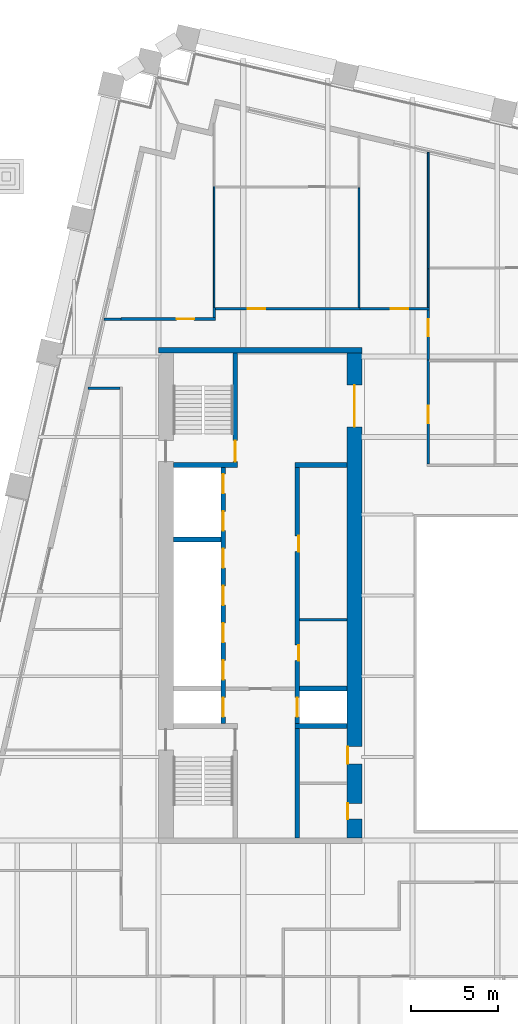
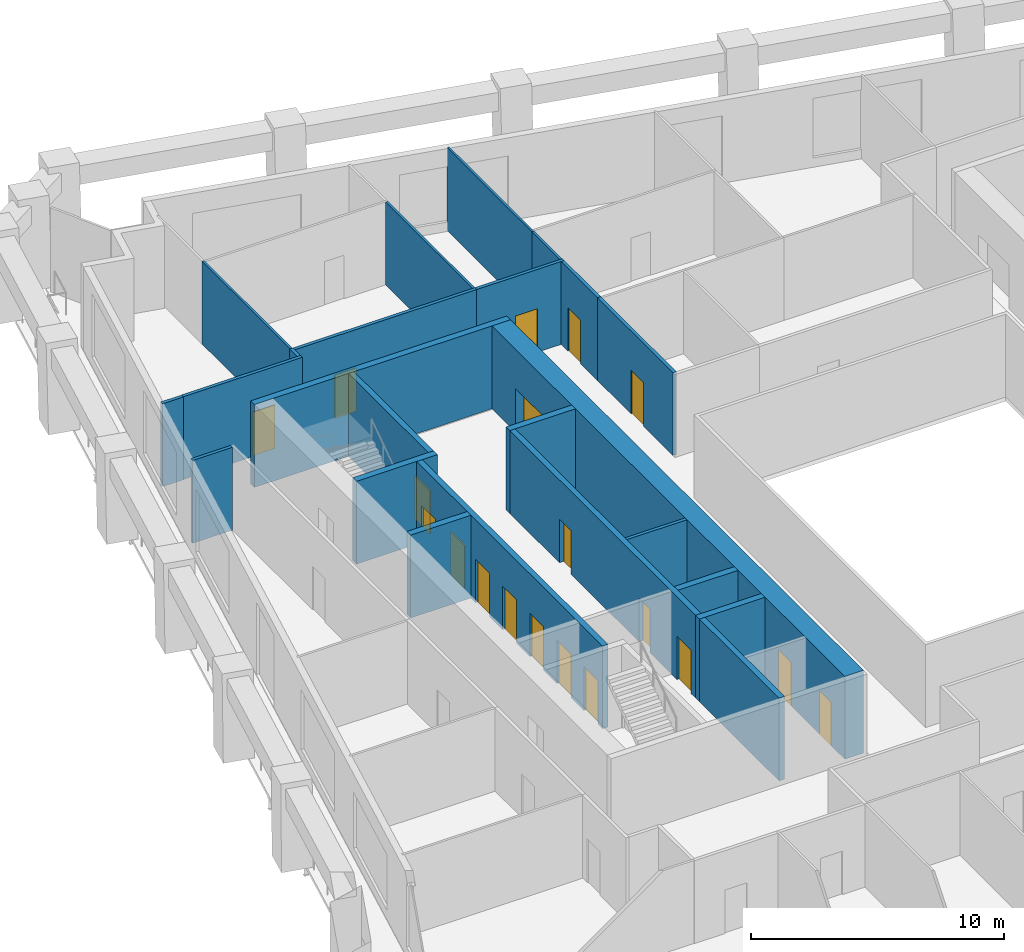
# One storey, part 6 of 10: 23 walls, 19 doors, 19 openings.
"""IFC4 building model written with IfcOpenShell, lengths in metres."""

from ifc_helpers import new_model, si_unit, direction, frame, frame_2d, origin, place, context, subcontext, project, spatial, rectangle, extrude, material, layer, layer_set, type_object, element, fill, save


model = new_model("IFC4")

# Units and contexts
model_context = context("Model", 3, precision=1e-05, world=origin(), true_north=direction((0.0, 1.0)))
body_context = subcontext(model_context, "Body", "Model", "MODEL_VIEW")
ifc_project = project(units=[si_unit("LENGTHUNIT", "METRE"), si_unit("AREAUNIT", "SQUARE_METRE"), si_unit("VOLUMEUNIT", "CUBIC_METRE"), si_unit("PLANEANGLEUNIT", "RADIAN"), si_unit("MASSUNIT", "GRAM", prefix="KILO")], contexts=[model_context])

# Site, building, storey
site_placement = place(None, origin())
site = spatial("IfcSite", under=ifc_project, at=site_placement, CompositionType="ELEMENT")
building_placement = place(site_placement, origin())
building = spatial("IfcBuilding", under=site, at=building_placement, Name="Ogive Exchange Tower", CompositionType="ELEMENT")
storey_placement = place(building_placement, frame((0.0, 0.0, 105.60009765625)))
storey = spatial("IfcBuildingStorey", under=building, at=storey_placement, Name="L22", CompositionType="ELEMENT", Elevation=105.60009765625)

# Walls
ifc_material_1 = material(Name="Gypsum board partition")
ifc_layer_1 = layer(ifc_material_1, 0.14990234375)
ifc_layer_set_1 = layer_set([ifc_layer_1], Name="Core room partition 150 gypsum")
wall_type_1 = type_object("IfcWallType", Name="Core room partition 150 gypsum", PredefinedType="PARTITIONING", material=ifc_layer_set_1)
wall_1_placement = place(storey_placement, frame((-13.75, 10.10009765625, 0.0), z_axis=(0.0, 0.0, 1.0), x_axis=(1.0, 0.0, 0.0)))
element("IfcWall", 1, at=wall_1_placement, inside=storey, type_object=wall_type_1, Name="W row B bay partition 1-1", PredefinedType="PARTITIONING", context=body_context, shape_type="SweptSolid", body=[
    extrude(rectangle(XDim=2.75, YDim=0.14990234375, at=frame_2d((1.375, 0.0))), origin(), (0.0, 0.0, 1.0), 4.0),
])
ifc_layer_2 = layer(ifc_material_1, 0.300048828125)
ifc_layer_set_2 = layer_set([ifc_layer_2], Name="Core room partition 300 gypsum")
wall_type_2 = type_object("IfcWallType", Name="Core room partition 300 gypsum", PredefinedType="PARTITIONING", material=ifc_layer_set_2)
wall_2_placement = place(storey_placement, frame((-14.0, 19.0, 0.0), z_axis=(0.0, 0.0, 1.0), x_axis=(1.0, 0.0, 0.0)))
element("IfcWall", 2, at=wall_2_placement, inside=storey, type_object=wall_type_2, Name="W row B room end wall 7", PredefinedType="PARTITIONING", context=body_context, shape_type="SweptSolid", body=[
    extrude(rectangle(XDim=3.0, YDim=0.300048828125, at=frame_2d((1.5, 0.0))), origin(), (0.0, 0.0, 1.0), 4.0),
])
ifc_material_2 = material(Name="Fire partition EI 60 150")
ifc_layer_3 = layer(ifc_material_2, 0.14990234375)
ifc_layer_set_3 = layer_set([ifc_layer_3], Name="Fire partition EI 60 150")
wall_type_3 = type_object("IfcWallType", Name="Fire partition EI 60 150", PredefinedType="PARTITIONING", material=ifc_layer_set_3)
wall_3_placement = place(storey_placement, frame((-24.970947265625, 27.389892578125, 0.0), z_axis=(0.0, 0.0, 1.0), x_axis=(1.0, 0.0, 0.0)))
element("IfcWall", 3, at=wall_3_placement, inside=storey, type_object=wall_type_3, Name="L22-PWL-002", PredefinedType="PARTITIONING", context=body_context, shape_type="SweptSolid", body=[
    extrude(rectangle(XDim=0.970947265625, YDim=0.14990234375, at=frame_2d((0.4853515625, 0.0))), origin(), (0.0, 0.0, 1.0), 4.0),
])
wall_4_placement = place(storey_placement, frame((-24.074951171875, 23.409912109375, 0.0), z_axis=(0.0, 0.0, 1.0), x_axis=(-1.0, 0.0, 0.0)))
element("IfcWall", 4, at=wall_4_placement, inside=storey, type_object=wall_type_3, Name="L22-PWL-010", PredefinedType="PARTITIONING", context=body_context, shape_type="SweptSolid", body=[
    extrude(rectangle(XDim=1.81494140625, YDim=0.14990234375, at=frame_2d((0.907470703125, 0.0))), origin(), (0.0, 0.0, 1.0), 4.0),
])

# Wall, opening, door
wall_5_placement = place(storey_placement, frame((-24.0, 27.39990234375, 0.0), z_axis=(0.0, 0.0, 1.0), x_axis=(1.0, 0.0, 0.0)))
wall_5 = element("IfcWall", 5, at=wall_5_placement, inside=storey, type_object=wall_type_3, Name="L22-PWL-011", PredefinedType="PARTITIONING", context=body_context, shape_type="SweptSolid", body=[
    extrude(rectangle(XDim=5.425048828125, YDim=0.14990234375, at=frame_2d((2.71240234375, 0.0))), origin(), (0.0, 0.0, 1.0), 4.0),
])
opening_1_placement = place(wall_5_placement, frame((3.199951171875, 0.0, 0.0)))
opening_1 = element("IfcOpeningElement", 6, at=opening_1_placement, cuts=wall_5, Name="Opening L22-I14", PredefinedType="OPENING", context=body_context, shape_type="SweptSolid", body=[
    extrude(rectangle(XDim=1.0, YDim=2.10009765625, at=frame_2d((0.5, 1.050048828125))), frame((0.0, 0.0849609375, 0.0), z_axis=(0.0, -1.0, 0.0), x_axis=(1.0, 0.0, 0.0)), (0.0, 0.0, 1.0), 0.169921875),
])
ifc_material_3 = material(Name="Fire door FD 30S 1000 x 2100")
door_type_1 = type_object("IfcDoorType", Name="Fire door FD 30S 1000 x 2100", OperationType="NOTDEFINED", PredefinedType="DOOR", material=ifc_material_3)
door_1_placement = place(opening_1_placement, origin())
door_1 = element("IfcDoor", 7, at=door_1_placement, inside=storey, type_object=door_type_1, Name="L22-IDR-014", ObjectType="DT3", OperationType="SINGLE_SWING_LEFT", OverallHeight=2.10009765625, OverallWidth=1.0, PredefinedType="DOOR", context=body_context, shape_type="SweptSolid", body=[
    extrude(rectangle(XDim=1.0, YDim=2.10009765625, at=frame_2d((0.5, 1.050048828125))), frame((0.0, 0.02490234375, 0.0), z_axis=(0.0, -1.0, 0.0), x_axis=(1.0, 0.0, 0.0)), (0.0, 0.0, 1.0), 0.050048828125),
])
fill(opening_1, door_1)

# Wall
wall_6_placement = place(storey_placement, frame((-18.64990234375, 27.47509765625, 0.0), z_axis=(0.0, 0.0, 1.0), x_axis=(0.0, 1.0, 0.0)))
element("IfcWall", 8, at=wall_6_placement, inside=storey, type_object=wall_type_3, Name="L22-PWL-017", PredefinedType="PARTITIONING", context=body_context, shape_type="SweptSolid", body=[
    extrude(rectangle(XDim=0.599853515625, YDim=0.14990234375, at=frame_2d((0.2998046875, 0.0))), origin(), (0.0, 0.0, 1.0), 4.0),
])

# Wall, opening, door
wall_7_placement = place(storey_placement, frame((-18.574951171875, 28.0, 0.0), z_axis=(0.0, 0.0, 1.0), x_axis=(1.0, 0.0, 0.0)))
wall_7 = element("IfcWall", 9, at=wall_7_placement, inside=storey, type_object=wall_type_3, Name="L22-PWL-019", PredefinedType="PARTITIONING", context=body_context, shape_type="SweptSolid", body=[
    extrude(rectangle(XDim=8.304931640625, YDim=0.14990234375, at=frame_2d((4.15234375, 0.0))), origin(), (0.0, 0.0, 1.0), 4.0),
])
opening_2_placement = place(wall_7_placement, frame((1.85498046875, 0.0, 0.0)))
opening_2 = element("IfcOpeningElement", 10, at=opening_2_placement, cuts=wall_7, Name="Opening L22-I12", PredefinedType="OPENING", context=body_context, shape_type="SweptSolid", body=[
    extrude(rectangle(XDim=1.0, YDim=2.10009765625, at=frame_2d((0.5, 1.050048828125))), frame((0.0, 0.0849609375, 0.0), z_axis=(0.0, -1.0, 0.0), x_axis=(1.0, 0.0, 0.0)), (0.0, 0.0, 1.0), 0.169921875),
])
door_2_placement = place(opening_2_placement, origin())
door_2 = element("IfcDoor", 11, at=door_2_placement, inside=storey, type_object=door_type_1, Name="L22-IDR-012", ObjectType="DT3", OperationType="SINGLE_SWING_RIGHT", OverallHeight=2.10009765625, OverallWidth=1.0, PredefinedType="DOOR", context=body_context, shape_type="SweptSolid", body=[
    extrude(rectangle(XDim=1.0, YDim=2.10009765625, at=frame_2d((0.5, 1.050048828125))), frame((0.0, 0.02490234375, 0.0), z_axis=(0.0, -1.0, 0.0), x_axis=(1.0, 0.0, 0.0)), (0.0, 0.0, 1.0), 0.050048828125),
])
fill(opening_2, door_2)

wall_8_placement = place(storey_placement, frame((-10.27001953125, 28.0, 0.0), z_axis=(0.0, 0.0, 1.0), x_axis=(1.0, 0.0, 0.0)))
wall_8 = element("IfcWall", 12, at=wall_8_placement, inside=storey, type_object=wall_type_3, Name="L22-PWL-028", PredefinedType="PARTITIONING", context=body_context, shape_type="SweptSolid", body=[
    extrude(rectangle(XDim=4.005126953125, YDim=0.14990234375, at=frame_2d((2.00244140625, 0.0))), origin(), (0.0, 0.0, 1.0), 4.0),
])
opening_3_placement = place(wall_8_placement, frame((1.780029296875, 0.0, 0.0)))
opening_3 = element("IfcOpeningElement", 13, at=opening_3_placement, cuts=wall_8, Name="Opening L22-I11", PredefinedType="OPENING", context=body_context, shape_type="SweptSolid", body=[
    extrude(rectangle(XDim=1.0, YDim=2.10009765625, at=frame_2d((0.5, 1.050048828125))), frame((0.0, 0.0849609375, 0.0), z_axis=(0.0, -1.0, 0.0), x_axis=(1.0, 0.0, 0.0)), (0.0, 0.0, 1.0), 0.169921875),
])
door_3_placement = place(opening_3_placement, origin())
door_3 = element("IfcDoor", 14, at=door_3_placement, inside=storey, type_object=door_type_1, Name="L22-IDR-011", ObjectType="DT3", OperationType="SINGLE_SWING_LEFT", OverallHeight=2.10009765625, OverallWidth=1.0, PredefinedType="DOOR", context=body_context, shape_type="SweptSolid", body=[
    extrude(rectangle(XDim=1.0, YDim=2.10009765625, at=frame_2d((0.5, 1.050048828125))), frame((0.0, 0.02490234375, 0.0), z_axis=(0.0, -1.0, 0.0), x_axis=(1.0, 0.0, 0.0)), (0.0, 0.0, 1.0), 0.050048828125),
])
fill(opening_3, door_3)

wall_9_placement = place(storey_placement, frame((-6.340087890625, 25.050048828125, 0.0), z_axis=(0.0, 0.0, 1.0), x_axis=(0.0, -1.0, 0.0)))
wall_9 = element("IfcWall", 15, at=wall_9_placement, inside=storey, type_object=wall_type_3, Name="L22-PWL-033", PredefinedType="PARTITIONING", context=body_context, shape_type="SweptSolid", body=[
    extrude(rectangle(XDim=5.97509765625, YDim=0.14990234375, at=frame_2d((2.987548828125, 0.0))), origin(), (0.0, 0.0, 1.0), 4.0),
])
opening_4_placement = place(wall_9_placement, frame((2.64990234375, 0.0, 0.0)))
opening_4 = element("IfcOpeningElement", 16, at=opening_4_placement, cuts=wall_9, Name="Opening L22-I05", PredefinedType="OPENING", context=body_context, shape_type="SweptSolid", body=[
    extrude(rectangle(XDim=1.0, YDim=2.10009765625, at=frame_2d((0.5, 1.050048828125))), frame((0.0, 0.0849609375, 0.0), z_axis=(0.0, -1.0, 0.0), x_axis=(1.0, 0.0, 0.0)), (0.0, 0.0, 1.0), 0.169921875),
])
door_4_placement = place(opening_4_placement, origin())
door_4 = element("IfcDoor", 17, at=door_4_placement, inside=storey, type_object=door_type_1, Name="L22-IDR-005", ObjectType="DT3", OperationType="SINGLE_SWING_LEFT", OverallHeight=2.10009765625, OverallWidth=1.0, PredefinedType="DOOR", context=body_context, shape_type="SweptSolid", body=[
    extrude(rectangle(XDim=1.0, YDim=2.10009765625, at=frame_2d((0.5, 1.050048828125))), frame((0.0, 0.02490234375, 0.0), z_axis=(0.0, -1.0, 0.0), x_axis=(1.0, 0.0, 0.0)), (0.0, 0.0, 1.0), 0.050048828125),
])
fill(opening_4, door_4)

wall_10_placement = place(storey_placement, frame((-6.340087890625, 27.925048828125, 0.0), z_axis=(0.0, 0.0, 1.0), x_axis=(0.0, -1.0, 0.0)))
wall_10 = element("IfcWall", 18, at=wall_10_placement, inside=storey, type_object=wall_type_3, Name="L22-PWL-035", PredefinedType="PARTITIONING", context=body_context, shape_type="SweptSolid", body=[
    extrude(rectangle(XDim=2.875, YDim=0.14990234375, at=frame_2d((1.4375, 0.0))), origin(), (0.0, 0.0, 1.0), 4.0),
])
opening_5_placement = place(wall_10_placement, frame((0.52490234375, 0.0, 0.0)))
opening_5 = element("IfcOpeningElement", 19, at=opening_5_placement, cuts=wall_10, Name="Opening L22-I08", PredefinedType="OPENING", context=body_context, shape_type="SweptSolid", body=[
    extrude(rectangle(XDim=1.0, YDim=2.10009765625, at=frame_2d((0.5, 1.050048828125))), frame((0.0, 0.0849609375, 0.0), z_axis=(0.0, -1.0, 0.0), x_axis=(1.0, 0.0, 0.0)), (0.0, 0.0, 1.0), 0.169921875),
])
door_5_placement = place(opening_5_placement, origin())
door_5 = element("IfcDoor", 20, at=door_5_placement, inside=storey, type_object=door_type_1, Name="L22-IDR-008", ObjectType="DT3", OperationType="SINGLE_SWING_LEFT", OverallHeight=2.10009765625, OverallWidth=1.0, PredefinedType="DOOR", context=body_context, shape_type="SweptSolid", body=[
    extrude(rectangle(XDim=1.0, YDim=2.10009765625, at=frame_2d((0.5, 1.050048828125))), frame((0.0, 0.02490234375, 0.0), z_axis=(0.0, -1.0, 0.0), x_axis=(1.0, 0.0, 0.0)), (0.0, 0.0, 1.0), 0.050048828125),
])
fill(opening_5, door_5)

# Walls
ifc_material_4 = material(Name="Partition 100 gypsum")
ifc_layer_4 = layer(ifc_material_4, 0.10009765625)
ifc_layer_set_4 = layer_set([ifc_layer_4], Name="Partition 100 gypsum")
wall_type_4 = type_object("IfcWallType", Name="Partition 100 gypsum", PredefinedType="PARTITIONING", material=ifc_layer_set_4)
wall_11_placement = place(storey_placement, frame((-18.64990234375, 28.074951171875, 0.0), z_axis=(0.0, 0.0, 1.0), x_axis=(0.0, 1.0, 0.0)))
element("IfcWall", 21, at=wall_11_placement, inside=storey, type_object=wall_type_4, Name="L22-PWL-018", PredefinedType="PARTITIONING", context=body_context, shape_type="SweptSolid", body=[
    extrude(rectangle(XDim=6.97509765625, YDim=0.10009765625, at=frame_2d((3.487548828125, 0.0))), origin(), (0.0, 0.0, 1.0), 4.0),
])
wall_12_placement = place(storey_placement, frame((-10.320068359375, 28.074951171875, 0.0), z_axis=(0.0, 0.0, 1.0), x_axis=(0.0, 1.0, 0.0)))
element("IfcWall", 22, at=wall_12_placement, inside=storey, type_object=wall_type_4, Name="L22-PWL-027", PredefinedType="PARTITIONING", context=body_context, shape_type="SweptSolid", body=[
    extrude(rectangle(XDim=6.875, YDim=0.10009765625, at=frame_2d((3.4375, 0.0))), origin(), (0.0, 0.0, 1.0), 4.0),
])
wall_13_placement = place(storey_placement, frame((-6.340087890625, 28.074951171875, 0.0), z_axis=(0.0, 0.0, 1.0), x_axis=(0.0, 1.0, 0.0)))
element("IfcWall", 23, at=wall_13_placement, inside=storey, type_object=wall_type_4, Name="L22-PWL-036", PredefinedType="PARTITIONING", context=body_context, shape_type="SweptSolid", body=[
    extrude(rectangle(XDim=2.215087890625, YDim=0.10009765625, at=frame_2d((1.107421875, 0.0))), origin(), (0.0, 0.0, 1.0), 4.0),
])
wall_14_placement = place(storey_placement, frame((-6.340087890625, 30.2900390625, 0.0), z_axis=(0.0, 0.0, 1.0), x_axis=(0.0, 1.0, 0.0)))
element("IfcWall", 24, at=wall_14_placement, inside=storey, type_object=wall_type_4, Name="L22-PWL-037", PredefinedType="PARTITIONING", context=body_context, shape_type="SweptSolid", body=[
    extrude(rectangle(XDim=6.697998046875, YDim=0.10009765625, at=frame_2d((3.34912109375, 0.0))), origin(), (0.0, 0.0, 1.0), 4.0),
])

# Wall, opening, door
ifc_material_5 = material(Name="Concrete C70/85", Category="concrete")
ifc_layer_5 = layer(ifc_material_5, 0.25)
ifc_layer_set_5 = layer_set([ifc_layer_5], Name="RC core wall 250 C70/85")
wall_type_5 = type_object("IfcWallType", Name="RC core wall 250 C70/85", PredefinedType="SHEAR", material=ifc_layer_set_5)
wall_15_placement = place(storey_placement, frame((-17.425048828125, 19.14990234375, 0.0), z_axis=(0.0, 0.0, 1.0), x_axis=(0.0, 1.0, 0.0)))
wall_15 = element("IfcWall", 25, at=wall_15_placement, inside=storey, type_object=wall_type_5, Name="W stair N front wall", PredefinedType="SHEAR", context=body_context, shape_type="SweptSolid", body=[
    extrude(rectangle(XDim=6.300048828125, YDim=0.25, at=frame_2d((3.14990234375, 0.0))), origin(), (0.0, 0.0, 1.0), 4.0),
])
opening_6_placement = place(wall_15_placement, frame((0.050048828125, 0.0, 0.0)))
opening_6 = element("IfcOpeningElement", 26, at=opening_6_placement, cuts=wall_15, Name="Opening L22-C15", PredefinedType="OPENING", context=body_context, shape_type="SweptSolid", body=[
    extrude(rectangle(XDim=1.199951171875, YDim=2.10009765625, at=frame_2d((0.60009765625, 1.050048828125))), frame((0.0, 0.135009765625, 0.0), z_axis=(0.0, -1.0, 0.0), x_axis=(1.0, 0.0, 0.0)), (0.0, 0.0, 1.0), 0.27001953125),
])
ifc_material_6 = material(Name="Steel fire door", Category="steel")
door_type_2 = type_object("IfcDoorType", Name="Stair door FD90 1200 x 2100", OperationType="NOTDEFINED", PredefinedType="DOOR", material=ifc_material_6)
door_6_placement = place(opening_6_placement, origin())
door_6 = element("IfcDoor", 27, at=door_6_placement, inside=storey, type_object=door_type_2, Name="Stair door", ObjectType="CD5", OperationType="SINGLE_SWING_RIGHT", OverallHeight=2.10009765625, OverallWidth=1.199951171875, PredefinedType="DOOR", context=body_context, shape_type="SweptSolid", body=[
    extrude(rectangle(XDim=1.199951171875, YDim=2.10009765625, at=frame_2d((0.60009765625, 1.050048828125))), frame((0.0, 0.02490234375, 0.0), z_axis=(0.0, -1.0, 0.0), x_axis=(1.0, 0.0, 0.0)), (0.0, 0.0, 1.0), 0.050048828125),
])
fill(opening_6, door_6)

# Wall, openings, doors
wall_16_placement = place(storey_placement, frame((-18.125, 4.14990234375, 0.0), z_axis=(0.0, 0.0, 1.0), x_axis=(0.0, 1.0, 0.0)))
wall_16 = element("IfcWall", 28, at=wall_16_placement, inside=storey, type_object=wall_type_5, Name="W row A front wall", PredefinedType="SHEAR", context=body_context, shape_type="SweptSolid", body=[
    extrude(rectangle(XDim=14.7001953125, YDim=0.25, at=frame_2d((7.35009765625, 0.0))), origin(), (0.0, 0.0, 1.0), 4.0),
])
opening_7_placement = place(wall_16_placement, frame((0.371337890625, 0.0, 0.0)))
opening_7 = element("IfcOpeningElement", 29, at=opening_7_placement, cuts=wall_16, Name="Opening L22-C01", PredefinedType="OPENING", context=body_context, shape_type="SweptSolid", body=[
    extrude(rectangle(XDim=1.10009765625, YDim=2.10009765625, at=frame_2d((0.550048828125, 1.050048828125))), frame((0.0, 0.135009765625, 0.0), z_axis=(0.0, -1.0, 0.0), x_axis=(1.0, 0.0, 0.0)), (0.0, 0.0, 1.0), 0.27001953125),
])
opening_8_placement = place(wall_16_placement, frame((2.514404296875, 0.0, 0.0)))
opening_8 = element("IfcOpeningElement", 30, at=opening_8_placement, cuts=wall_16, Name="Opening L22-C02", PredefinedType="OPENING", context=body_context, shape_type="SweptSolid", body=[
    extrude(rectangle(XDim=1.10009765625, YDim=2.10009765625, at=frame_2d((0.550048828125, 1.050048828125))), frame((0.0, 0.135009765625, 0.0), z_axis=(0.0, -1.0, 0.0), x_axis=(1.0, 0.0, 0.0)), (0.0, 0.0, 1.0), 0.27001953125),
])
opening_9_placement = place(wall_16_placement, frame((4.656982421875, 0.0, 0.0)))
opening_9 = element("IfcOpeningElement", 31, at=opening_9_placement, cuts=wall_16, Name="Opening L22-C03", PredefinedType="OPENING", context=body_context, shape_type="SweptSolid", body=[
    extrude(rectangle(XDim=1.10009765625, YDim=2.10009765625, at=frame_2d((0.550048828125, 1.050048828125))), frame((0.0, 0.135009765625, 0.0), z_axis=(0.0, -1.0, 0.0), x_axis=(1.0, 0.0, 0.0)), (0.0, 0.0, 1.0), 0.27001953125),
])
opening_10_placement = place(wall_16_placement, frame((6.800048828125, 0.0, 0.0)))
opening_10 = element("IfcOpeningElement", 32, at=opening_10_placement, cuts=wall_16, Name="Opening L22-C04", PredefinedType="OPENING", context=body_context, shape_type="SweptSolid", body=[
    extrude(rectangle(XDim=1.10009765625, YDim=2.10009765625, at=frame_2d((0.550048828125, 1.050048828125))), frame((0.0, 0.135009765625, 0.0), z_axis=(0.0, -1.0, 0.0), x_axis=(1.0, 0.0, 0.0)), (0.0, 0.0, 1.0), 0.27001953125),
])
opening_11_placement = place(wall_16_placement, frame((8.94287109375, 0.0, 0.0)))
opening_11 = element("IfcOpeningElement", 33, at=opening_11_placement, cuts=wall_16, Name="Opening L22-C05", PredefinedType="OPENING", context=body_context, shape_type="SweptSolid", body=[
    extrude(rectangle(XDim=1.10009765625, YDim=2.10009765625, at=frame_2d((0.550048828125, 1.050048828125))), frame((0.0, 0.135009765625, 0.0), z_axis=(0.0, -1.0, 0.0), x_axis=(1.0, 0.0, 0.0)), (0.0, 0.0, 1.0), 0.27001953125),
])
opening_12_placement = place(wall_16_placement, frame((11.085693359375, 0.0, 0.0)))
opening_12 = element("IfcOpeningElement", 34, at=opening_12_placement, cuts=wall_16, Name="Opening L22-C06", PredefinedType="OPENING", context=body_context, shape_type="SweptSolid", body=[
    extrude(rectangle(XDim=1.10009765625, YDim=2.10009765625, at=frame_2d((0.550048828125, 1.050048828125))), frame((0.0, 0.135009765625, 0.0), z_axis=(0.0, -1.0, 0.0), x_axis=(1.0, 0.0, 0.0)), (0.0, 0.0, 1.0), 0.27001953125),
])
opening_13_placement = place(wall_16_placement, frame((13.228515625, 0.0, 0.0)))
opening_13 = element("IfcOpeningElement", 35, at=opening_13_placement, cuts=wall_16, Name="Opening L22-C07", PredefinedType="OPENING", context=body_context, shape_type="SweptSolid", body=[
    extrude(rectangle(XDim=1.10009765625, YDim=2.10009765625, at=frame_2d((0.550048828125, 1.050048828125))), frame((0.0, 0.135009765625, 0.0), z_axis=(0.0, -1.0, 0.0), x_axis=(1.0, 0.0, 0.0)), (0.0, 0.0, 1.0), 0.27001953125),
])
ifc_material_7 = material(Name="Stainless steel", Category="steel")
door_type_3 = type_object("IfcDoorType", Name="Lift landing door FD90 1100 x 2100", OperationType="SLIDING_TO_LEFT", PredefinedType="DOOR", material=ifc_material_7)
door_7_placement = place(opening_7_placement, origin())
door_7 = element("IfcDoor", 36, at=door_7_placement, inside=storey, type_object=door_type_3, Name="Lift landing door FF1", ObjectType="LD", OperationType="SLIDING_TO_LEFT", OverallHeight=2.10009765625, OverallWidth=1.10009765625, PredefinedType="DOOR", context=body_context, shape_type="SweptSolid", body=[
    extrude(rectangle(XDim=1.10009765625, YDim=2.10009765625, at=frame_2d((0.550048828125, 1.050048828125))), frame((0.0, 0.02490234375, 0.0), z_axis=(0.0, -1.0, 0.0), x_axis=(1.0, 0.0, 0.0)), (0.0, 0.0, 1.0), 0.050048828125),
])
fill(opening_7, door_7)
door_8_placement = place(opening_8_placement, origin())
door_8 = element("IfcDoor", 37, at=door_8_placement, inside=storey, type_object=door_type_3, Name="Lift landing door W-L1", ObjectType="LD", OperationType="SLIDING_TO_LEFT", OverallHeight=2.10009765625, OverallWidth=1.10009765625, PredefinedType="DOOR", context=body_context, shape_type="SweptSolid", body=[
    extrude(rectangle(XDim=1.10009765625, YDim=2.10009765625, at=frame_2d((0.550048828125, 1.050048828125))), frame((0.0, 0.02490234375, 0.0), z_axis=(0.0, -1.0, 0.0), x_axis=(1.0, 0.0, 0.0)), (0.0, 0.0, 1.0), 0.050048828125),
])
fill(opening_8, door_8)
door_9_placement = place(opening_9_placement, origin())
door_9 = element("IfcDoor", 38, at=door_9_placement, inside=storey, type_object=door_type_3, Name="Lift landing door W-L2", ObjectType="LD", OperationType="SLIDING_TO_LEFT", OverallHeight=2.10009765625, OverallWidth=1.10009765625, PredefinedType="DOOR", context=body_context, shape_type="SweptSolid", body=[
    extrude(rectangle(XDim=1.10009765625, YDim=2.10009765625, at=frame_2d((0.550048828125, 1.050048828125))), frame((0.0, 0.02490234375, 0.0), z_axis=(0.0, -1.0, 0.0), x_axis=(1.0, 0.0, 0.0)), (0.0, 0.0, 1.0), 0.050048828125),
])
fill(opening_9, door_9)
door_10_placement = place(opening_10_placement, origin())
door_10 = element("IfcDoor", 39, at=door_10_placement, inside=storey, type_object=door_type_3, Name="Lift landing door W-L3", ObjectType="LD", OperationType="SLIDING_TO_LEFT", OverallHeight=2.10009765625, OverallWidth=1.10009765625, PredefinedType="DOOR", context=body_context, shape_type="SweptSolid", body=[
    extrude(rectangle(XDim=1.10009765625, YDim=2.10009765625, at=frame_2d((0.550048828125, 1.050048828125))), frame((0.0, 0.02490234375, 0.0), z_axis=(0.0, -1.0, 0.0), x_axis=(1.0, 0.0, 0.0)), (0.0, 0.0, 1.0), 0.050048828125),
])
fill(opening_10, door_10)
door_11_placement = place(opening_11_placement, origin())
door_11 = element("IfcDoor", 40, at=door_11_placement, inside=storey, type_object=door_type_3, Name="Lift landing door W-L4", ObjectType="LD", OperationType="SLIDING_TO_LEFT", OverallHeight=2.10009765625, OverallWidth=1.10009765625, PredefinedType="DOOR", context=body_context, shape_type="SweptSolid", body=[
    extrude(rectangle(XDim=1.10009765625, YDim=2.10009765625, at=frame_2d((0.550048828125, 1.050048828125))), frame((0.0, 0.02490234375, 0.0), z_axis=(0.0, -1.0, 0.0), x_axis=(1.0, 0.0, 0.0)), (0.0, 0.0, 1.0), 0.050048828125),
])
fill(opening_11, door_11)
door_12_placement = place(opening_12_placement, origin())
door_12 = element("IfcDoor", 41, at=door_12_placement, inside=storey, type_object=door_type_3, Name="Lift landing door W-SH1", ObjectType="LD", OperationType="SLIDING_TO_LEFT", OverallHeight=2.10009765625, OverallWidth=1.10009765625, PredefinedType="DOOR", context=body_context, shape_type="SweptSolid", body=[
    extrude(rectangle(XDim=1.10009765625, YDim=2.10009765625, at=frame_2d((0.550048828125, 1.050048828125))), frame((0.0, 0.02490234375, 0.0), z_axis=(0.0, -1.0, 0.0), x_axis=(1.0, 0.0, 0.0)), (0.0, 0.0, 1.0), 0.050048828125),
])
fill(opening_12, door_12)
door_13_placement = place(opening_13_placement, origin())
door_13 = element("IfcDoor", 42, at=door_13_placement, inside=storey, type_object=door_type_3, Name="Lift landing door W-SH2", ObjectType="LD", OperationType="SLIDING_TO_LEFT", OverallHeight=2.10009765625, OverallWidth=1.10009765625, PredefinedType="DOOR", context=body_context, shape_type="SweptSolid", body=[
    extrude(rectangle(XDim=1.10009765625, YDim=2.10009765625, at=frame_2d((0.550048828125, 1.050048828125))), frame((0.0, 0.02490234375, 0.0), z_axis=(0.0, -1.0, 0.0), x_axis=(1.0, 0.0, 0.0)), (0.0, 0.0, 1.0), 0.050048828125),
])
fill(opening_13, door_13)

wall_17_placement = place(storey_placement, frame((-13.875, -2.449951171875, 0.0), z_axis=(0.0, 0.0, 1.0), x_axis=(0.0, 1.0, 0.0)))
wall_17 = element("IfcWall", 43, at=wall_17_placement, inside=storey, type_object=wall_type_5, Name="W row B front wall", PredefinedType="SHEAR", context=body_context, shape_type="SweptSolid", body=[
    extrude(rectangle(XDim=21.300048828125, YDim=0.25, at=frame_2d((10.64990234375, 0.0))), origin(), (0.0, 0.0, 1.0), 4.0),
])
opening_14_placement = place(wall_17_placement, frame((10.1962890625, 0.0, 0.0)))
opening_14 = element("IfcOpeningElement", 44, at=opening_14_placement, cuts=wall_17, Name="Opening L22-C08", PredefinedType="OPENING", context=body_context, shape_type="SweptSolid", body=[
    extrude(rectangle(XDim=0.89990234375, YDim=2.10009765625, at=frame_2d((0.449951171875, 1.050048828125))), frame((0.0, 0.135009765625, 0.0), z_axis=(0.0, -1.0, 0.0), x_axis=(1.0, 0.0, 0.0)), (0.0, 0.0, 1.0), 0.27001953125),
])
opening_15_placement = place(wall_17_placement, frame((16.47509765625, 0.0, 0.0)))
opening_15 = element("IfcOpeningElement", 45, at=opening_15_placement, cuts=wall_17, Name="Opening L22-C09", PredefinedType="OPENING", context=body_context, shape_type="SweptSolid", body=[
    extrude(rectangle(XDim=0.89990234375, YDim=2.10009765625, at=frame_2d((0.449951171875, 1.050048828125))), frame((0.0, 0.135009765625, 0.0), z_axis=(0.0, -1.0, 0.0), x_axis=(1.0, 0.0, 0.0)), (0.0, 0.0, 1.0), 0.27001953125),
])
opening_16_placement = place(wall_17_placement, frame((6.971435546875, 0.0, 0.0)))
opening_16 = element("IfcOpeningElement", 46, at=opening_16_placement, cuts=wall_17, Name="Opening L22-C10", PredefinedType="OPENING", context=body_context, shape_type="SweptSolid", body=[
    extrude(rectangle(XDim=1.10009765625, YDim=2.10009765625, at=frame_2d((0.550048828125, 1.050048828125))), frame((0.0, 0.135009765625, 0.0), z_axis=(0.0, -1.0, 0.0), x_axis=(1.0, 0.0, 0.0)), (0.0, 0.0, 1.0), 0.27001953125),
])
door_14_placement = place(opening_16_placement, origin())
door_14 = element("IfcDoor", 47, at=door_14_placement, inside=storey, type_object=door_type_3, Name="Lift landing door SV1", ObjectType="LD", OperationType="SLIDING_TO_LEFT", OverallHeight=2.10009765625, OverallWidth=1.10009765625, PredefinedType="DOOR", context=body_context, shape_type="SweptSolid", body=[
    extrude(rectangle(XDim=1.10009765625, YDim=2.10009765625, at=frame_2d((0.550048828125, 1.050048828125))), frame((0.0, 0.02490234375, 0.0), z_axis=(0.0, -1.0, 0.0), x_axis=(1.0, 0.0, 0.0)), (0.0, 0.0, 1.0), 0.050048828125),
])
fill(opening_16, door_14)
door_type_4 = type_object("IfcDoorType", Name="Riser door FD60 900 x 2100", OperationType="NOTDEFINED", PredefinedType="DOOR", material=ifc_material_6)
door_15_placement = place(opening_14_placement, frame((0.89990234375, -0.2001953125, 0.0), z_axis=(0.0, 0.0, 1.0), x_axis=(-1.0, 0.0, 0.0)))
door_15 = element("IfcDoor", 48, at=door_15_placement, inside=storey, type_object=door_type_4, Name="Riser door", ObjectType="CD2", OperationType="SINGLE_SWING_LEFT", OverallHeight=2.10009765625, OverallWidth=0.89990234375, PredefinedType="DOOR", context=body_context, shape_type="SweptSolid", body=[
    extrude(rectangle(XDim=0.89990234375, YDim=2.10009765625, at=frame_2d((0.449951171875, 1.050048828125))), frame((0.0, -0.0751953125, 0.0), z_axis=(0.0, -1.0, 0.0), x_axis=(1.0, 0.0, 0.0)), (0.0, 0.0, 1.0), 0.050048828125),
])
fill(opening_14, door_15)
door_16_placement = place(opening_15_placement, frame((0.89990234375, -0.2001953125, 0.0), z_axis=(0.0, 0.0, 1.0), x_axis=(-1.0, 0.0, 0.0)))
door_16 = element("IfcDoor", 49, at=door_16_placement, inside=storey, type_object=door_type_4, Name="Riser door", ObjectType="CD2", OperationType="SINGLE_SWING_LEFT", OverallHeight=2.10009765625, OverallWidth=0.89990234375, PredefinedType="DOOR", context=body_context, shape_type="SweptSolid", body=[
    extrude(rectangle(XDim=0.89990234375, YDim=2.10009765625, at=frame_2d((0.449951171875, 1.050048828125))), frame((0.0, -0.0751953125, 0.0), z_axis=(0.0, -1.0, 0.0), x_axis=(1.0, 0.0, 0.0)), (0.0, 0.0, 1.0), 0.050048828125),
])
fill(opening_15, door_16)

# Walls
ifc_layer_6 = layer(ifc_material_5, 0.300048828125)
ifc_layer_set_6 = layer_set([ifc_layer_6], Name="RC core wall 300 C70/85")
wall_type_6 = type_object("IfcWallType", Name="RC core wall 300 C70/85", PredefinedType="SHEAR", material=ifc_layer_set_6)
wall_18_placement = place(storey_placement, frame((-21.85009765625, 25.60009765625, 0.0), z_axis=(0.0, 0.0, 1.0), x_axis=(1.0, 0.0, 0.0)))
element("IfcWall", 50, at=wall_18_placement, inside=storey, type_object=wall_type_6, Name="W north end wall", PredefinedType="SHEAR", context=body_context, shape_type="SweptSolid", body=[
    extrude(rectangle(XDim=11.7001953125, YDim=0.300048828125, at=frame_2d((5.85009765625, 0.0))), origin(), (0.0, 0.0, 1.0), 4.0),
])
wall_19_placement = place(storey_placement, frame((-21.0, 19.0, 0.0), z_axis=(0.0, 0.0, 1.0), x_axis=(1.0, 0.0, 0.0)))
element("IfcWall", 51, at=wall_19_placement, inside=storey, type_object=wall_type_6, Name="W stair N south wall", PredefinedType="SHEAR", context=body_context, shape_type="SweptSolid", body=[
    extrude(rectangle(XDim=3.699951171875, YDim=0.300048828125, at=frame_2d((1.85009765625, 0.0))), origin(), (0.0, 0.0, 1.0), 4.0),
])
wall_20_placement = place(storey_placement, frame((-21.0, 14.71435546875, 0.0), z_axis=(0.0, 0.0, 1.0), x_axis=(1.0, 0.0, 0.0)))
element("IfcWall", 52, at=wall_20_placement, inside=storey, type_object=wall_type_6, Name="W row A divider 5", PredefinedType="SHEAR", context=body_context, shape_type="SweptSolid", body=[
    extrude(rectangle(XDim=2.75, YDim=0.300048828125, at=frame_2d((1.375, 0.0))), origin(), (0.0, 0.0, 1.0), 4.0),
])
wall_21_placement = place(storey_placement, frame((-14.0, 4.0, 0.0), z_axis=(0.0, 0.0, 1.0), x_axis=(1.0, 0.0, 0.0)))
element("IfcWall", 53, at=wall_21_placement, inside=storey, type_object=wall_type_6, Name="W row B divider 0", PredefinedType="SHEAR", context=body_context, shape_type="SweptSolid", body=[
    extrude(rectangle(XDim=3.0, YDim=0.300048828125, at=frame_2d((1.5, 0.0))), origin(), (0.0, 0.0, 1.0), 4.0),
])
wall_22_placement = place(storey_placement, frame((-13.75, 6.142822265625, 0.0), z_axis=(0.0, 0.0, 1.0), x_axis=(1.0, 0.0, 0.0)))
element("IfcWall", 54, at=wall_22_placement, inside=storey, type_object=wall_type_6, Name="W row B divider 1", PredefinedType="SHEAR", context=body_context, shape_type="SweptSolid", body=[
    extrude(rectangle(XDim=2.75, YDim=0.300048828125, at=frame_2d((1.375, 0.0))), origin(), (0.0, 0.0, 1.0), 4.0),
])

# Wall, openings, doors
ifc_layer_7 = layer(ifc_material_5, 0.85009765625)
ifc_layer_set_7 = layer_set([ifc_layer_7], Name="RC core wall 850 C70/85")
wall_type_7 = type_object("IfcWallType", Name="RC core wall 850 C70/85", PredefinedType="SHEAR", material=ifc_layer_set_7)
wall_23_placement = place(storey_placement, frame((-10.574951171875, -2.449951171875, 0.0), z_axis=(0.0, 0.0, 1.0), x_axis=(0.0, 1.0, 0.0)))
wall_23 = element("IfcWall", 55, at=wall_23_placement, inside=storey, type_object=wall_type_7, Name="W inner wall", PredefinedType="SHEAR", context=body_context, shape_type="SweptSolid", body=[
    extrude(rectangle(XDim=27.89990234375, YDim=0.85009765625, at=frame_2d((13.949951171875, 0.0))), origin(), (0.0, 0.0, 1.0), 4.0),
])
opening_17_placement = place(wall_23_placement, frame((23.64990234375, 0.0, 0.0)))
opening_17 = element("IfcOpeningElement", 56, at=opening_17_placement, cuts=wall_23, Name="Opening L22-C12", PredefinedType="OPENING", context=body_context, shape_type="SweptSolid", body=[
    extrude(rectangle(XDim=2.39990234375, YDim=2.10009765625, at=frame_2d((1.199951171875, 1.050048828125))), frame((0.0, 0.43505859375, 0.0), z_axis=(0.0, -1.0, 0.0), x_axis=(1.0, 0.0, 0.0)), (0.0, 0.0, 1.0), 0.8701171875),
])
opening_18_placement = place(wall_23_placement, frame((1.08740234375, 0.0, 0.0)))
opening_18 = element("IfcOpeningElement", 57, at=opening_18_placement, cuts=wall_23, Name="Opening L22-C17", PredefinedType="OPENING", context=body_context, shape_type="SweptSolid", body=[
    extrude(rectangle(XDim=0.89990234375, YDim=2.10009765625, at=frame_2d((0.449951171875, 1.050048828125))), frame((0.0, 0.43505859375, 0.0), z_axis=(0.0, -1.0, 0.0), x_axis=(1.0, 0.0, 0.0)), (0.0, 0.0, 1.0), 0.8701171875),
])
opening_19_placement = place(wall_23_placement, frame((4.262451171875, 0.0, 0.0)))
opening_19 = element("IfcOpeningElement", 58, at=opening_19_placement, cuts=wall_23, Name="Opening L22-C18", PredefinedType="OPENING", context=body_context, shape_type="SweptSolid", body=[
    extrude(rectangle(XDim=1.0, YDim=2.10009765625, at=frame_2d((0.5, 1.050048828125))), frame((0.0, 0.43505859375, 0.0), z_axis=(0.0, -1.0, 0.0), x_axis=(1.0, 0.0, 0.0)), (0.0, 0.0, 1.0), 0.8701171875),
])
ifc_material_8 = material(Name="Timber fire door", Category="wood")
door_type_5 = type_object("IfcDoorType", Name="Accessible WC door FD30S 1000 x 2100", OperationType="NOTDEFINED", PredefinedType="DOOR", material=ifc_material_8)
door_17_placement = place(opening_19_placement, origin())
door_17 = element("IfcDoor", 59, at=door_17_placement, inside=storey, type_object=door_type_5, Name="Accessible WC door", ObjectType="CD7", OperationType="SINGLE_SWING_LEFT", OverallHeight=2.10009765625, OverallWidth=1.0, PredefinedType="DOOR", context=body_context, shape_type="SweptSolid", body=[
    extrude(rectangle(XDim=1.0, YDim=2.10009765625, at=frame_2d((0.5, 1.050048828125))), frame((0.0, 0.4248046875, 0.0), z_axis=(0.0, -1.0, 0.0), x_axis=(1.0, 0.0, 0.0)), (0.0, 0.0, 1.0), 0.050048828125),
])
fill(opening_19, door_17)
door_type_6 = type_object("IfcDoorType", Name="Core room door FD30S 900 x 2100", OperationType="NOTDEFINED", PredefinedType="DOOR", material=ifc_material_8)
door_18_placement = place(opening_18_placement, origin())
door_18 = element("IfcDoor", 60, at=door_18_placement, inside=storey, type_object=door_type_6, Name="Core room door", ObjectType="CD6", OperationType="SINGLE_SWING_RIGHT", OverallHeight=2.10009765625, OverallWidth=0.89990234375, PredefinedType="DOOR", context=body_context, shape_type="SweptSolid", body=[
    extrude(rectangle(XDim=0.89990234375, YDim=2.10009765625, at=frame_2d((0.449951171875, 1.050048828125))), frame((0.0, 0.4248046875, 0.0), z_axis=(0.0, -1.0, 0.0), x_axis=(1.0, 0.0, 0.0)), (0.0, 0.0, 1.0), 0.050048828125),
])
fill(opening_18, door_18)
ifc_material_9 = material(Name="Glazed steel fire door", Category="steel")
door_type_7 = type_object("IfcDoorType", Name="Lift lobby double door FD60 2400 x 2100", OperationType="DOUBLE_DOOR_SINGLE_SWING", PredefinedType="DOOR", material=ifc_material_9)
door_19_placement = place(opening_17_placement, origin())
door_19 = element("IfcDoor", 61, at=door_19_placement, inside=storey, type_object=door_type_7, Name="Lift lobby double door", ObjectType="CD4", OperationType="DOUBLE_DOOR_SINGLE_SWING", OverallHeight=2.10009765625, OverallWidth=2.39990234375, PredefinedType="DOOR", context=body_context, shape_type="SweptSolid", body=[
    extrude(rectangle(XDim=2.39990234375, YDim=2.10009765625, at=frame_2d((1.199951171875, 1.050048828125))), frame((0.0, 0.02490234375, 0.0), z_axis=(0.0, -1.0, 0.0), x_axis=(1.0, 0.0, 0.0)), (0.0, 0.0, 1.0), 0.050048828125),
])
fill(opening_17, door_19)

save(model, "model.ifc")
